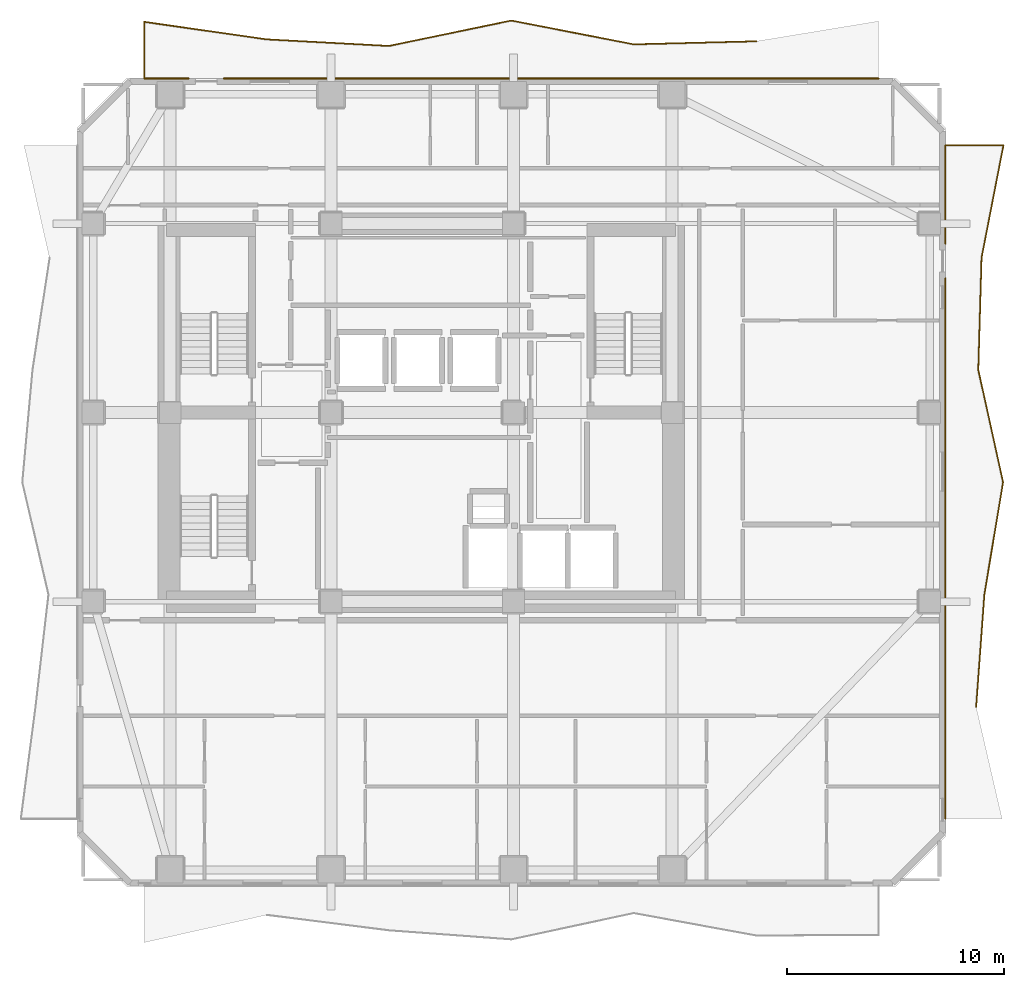
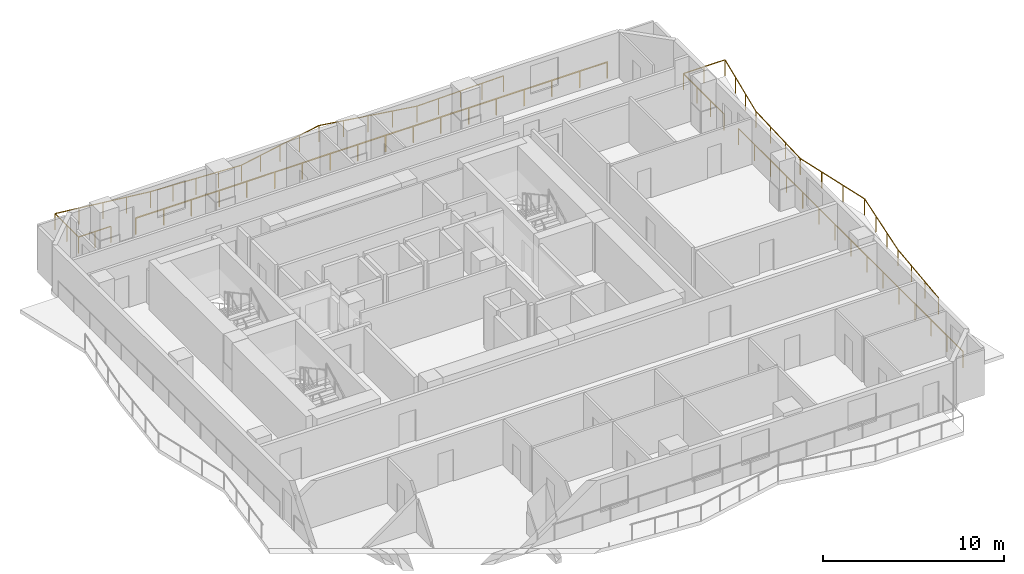
# One storey, part 9 of 9: 4 railings.
"""IFC4 building model written with IfcOpenShell, lengths in metres."""

from ifc_helpers import new_model, si_unit, direction, frame, origin, origin_2d, place, context, subcontext, project, spatial, rectangle, extrude, material, type_object, element, save


model = new_model("IFC4")

# Units and contexts
model_context = context("Model", 3, precision=1e-05, world=origin(), true_north=direction((0.0, 1.0)))
body_context = subcontext(model_context, "Body", "Model", "MODEL_VIEW")
ifc_project = project(units=[si_unit("LENGTHUNIT", "METRE"), si_unit("AREAUNIT", "SQUARE_METRE"), si_unit("VOLUMEUNIT", "CUBIC_METRE"), si_unit("PLANEANGLEUNIT", "RADIAN"), si_unit("MASSUNIT", "GRAM", prefix="KILO")], contexts=[model_context])

# Site, building, storey
site_placement = place(None, origin())
site = spatial("IfcSite", under=ifc_project, at=site_placement, CompositionType="ELEMENT")
building_placement = place(site_placement, origin())
building = spatial("IfcBuilding", under=site, at=building_placement, Name="Solanera Arch Residences", CompositionType="ELEMENT")
storey_placement = place(building_placement, frame((0.0, 0.0, 129.320068359375)))
storey = spatial("IfcBuildingStorey", under=building, at=storey_placement, Name="L37", CompositionType="ELEMENT", Elevation=129.320068359375)

# Railings
ifc_material = material(Name="Steel S355 (ASTM A992 / A572 Grade 50)", Category="steel")
railing_type = type_object("IfcRailingType", Name="Balustrade Railing BL-1100", PredefinedType="BALUSTRADE", material=ifc_material)
railing_1_placement = place(storey_placement, frame((40.366943359375, 47.7939453125, 0.0)))
element("IfcRailing", 1, at=railing_1_placement, inside=storey, type_object=railing_type, Name="L37 N Balcony Balustrade 1", PredefinedType="BALUSTRADE", context=body_context, shape_type="SweptSolid", body=[
    extrude(rectangle(XDim=0.048095703125, YDim=0.048095703125, at=origin_2d()), frame((0.0, 0.0, 1.09619140625), z_axis=(-0.999687565229, -0.024995438104, 0.0), x_axis=(0.024995438104, -0.999687565229, 0.0)), (0.0, 0.0, 1.0), 5.6357421875),
    extrude(rectangle(XDim=0.048095703125, YDim=0.048095703125, at=origin_2d()), frame((-5.634033203125, -0.140869140625, 1.09619140625), z_axis=(-0.981625131303, 0.19081955244, 0.0), x_axis=(-0.19081955244, -0.981625131303, 0.0)), (0.0, 0.0, 1.0), 5.73828125),
    extrude(rectangle(XDim=0.048095703125, YDim=0.048095703125, at=origin_2d()), frame((-11.266845703125, 0.9541015625, 1.09619140625), z_axis=(-0.979140050425, -0.20318651937, 0.0), x_axis=(0.20318651937, -0.979140050425, 0.0)), (0.0, 0.0, 1.0), 5.753173828125),
    extrude(rectangle(XDim=0.048095703125, YDim=0.048095703125, at=origin_2d()), frame((-16.89990234375, -0.21484375, 1.09619140625), z_axis=(-0.998547877576, 0.053871478424, 0.0), x_axis=(-0.053871478424, -0.998547877576, 0.0)), (0.0, 0.0, 1.0), 5.642333984375),
    extrude(rectangle(XDim=0.048095703125, YDim=0.048095703125, at=origin_2d()), frame((-22.533935546875, 0.089111328125, 1.09619140625), z_axis=(-0.989920297985, 0.141625575506, 0.0), x_axis=(-0.141625575506, -0.989920297985, 0.0)), (0.0, 0.0, 1.0), 5.6904296875),
    extrude(rectangle(XDim=0.048095703125, YDim=0.048095703125, at=origin_2d()), frame((-28.1669921875, 0.89501953125, 1.09619140625), z_axis=(0.0, -1.0, 0.0), x_axis=(1.0, 0.0, 0.0)), (0.0, 0.0, 1.0), 2.60888671875),
    extrude(rectangle(XDim=0.048095703125, YDim=0.048095703125, at=origin_2d()), frame((-28.1669921875, -1.7138671875, 1.09619140625), z_axis=(1.0, 0.0, 0.0), x_axis=(0.0, 1.0, 0.0)), (0.0, 0.0, 1.0), 2.06396484375),
    extrude(rectangle(XDim=0.0419921875, YDim=0.0419921875, at=origin_2d()), origin(), (0.0, 0.0, 1.0), 1.072021484375),
    extrude(rectangle(XDim=0.0419921875, YDim=0.0419921875, at=origin_2d()), frame((-1.408447265625, -0.03515625, 0.0)), (0.0, 0.0, 1.0), 1.072021484375),
    extrude(rectangle(XDim=0.0419921875, YDim=0.0419921875, at=origin_2d()), frame((-2.81689453125, -0.0703125, 0.0)), (0.0, 0.0, 1.0), 1.072021484375),
    extrude(rectangle(XDim=0.0419921875, YDim=0.0419921875, at=origin_2d()), frame((-4.2255859375, -0.105712890625, 0.0)), (0.0, 0.0, 1.0), 1.072021484375),
    extrude(rectangle(XDim=0.0419921875, YDim=0.0419921875, at=origin_2d()), frame((-5.634033203125, -0.140869140625, 0.0)), (0.0, 0.0, 1.0), 1.072021484375),
    extrude(rectangle(XDim=0.0419921875, YDim=0.0419921875, at=origin_2d()), frame((-7.042236328125, 0.1328125, 0.0)), (0.0, 0.0, 1.0), 1.072021484375),
    extrude(rectangle(XDim=0.0419921875, YDim=0.0419921875, at=origin_2d()), frame((-8.450439453125, 0.40673828125, 0.0)), (0.0, 0.0, 1.0), 1.072021484375),
    extrude(rectangle(XDim=0.0419921875, YDim=0.0419921875, at=origin_2d()), frame((-9.858642578125, 0.680419921875, 0.0)), (0.0, 0.0, 1.0), 1.072021484375),
    extrude(rectangle(XDim=0.0419921875, YDim=0.0419921875, at=origin_2d()), frame((-11.266845703125, 0.9541015625, 0.0)), (0.0, 0.0, 1.0), 1.072021484375),
    extrude(rectangle(XDim=0.0419921875, YDim=0.0419921875, at=origin_2d()), frame((-12.675048828125, 0.661865234375, 0.0)), (0.0, 0.0, 1.0), 1.072021484375),
    extrude(rectangle(XDim=0.0419921875, YDim=0.0419921875, at=origin_2d()), frame((-14.08349609375, 0.36962890625, 0.0)), (0.0, 0.0, 1.0), 1.072021484375),
    extrude(rectangle(XDim=0.0419921875, YDim=0.0419921875, at=origin_2d()), frame((-15.49169921875, 0.077392578125, 0.0)), (0.0, 0.0, 1.0), 1.072021484375),
    extrude(rectangle(XDim=0.0419921875, YDim=0.0419921875, at=origin_2d()), frame((-16.89990234375, -0.21484375, 0.0)), (0.0, 0.0, 1.0), 1.072021484375),
    extrude(rectangle(XDim=0.0419921875, YDim=0.0419921875, at=origin_2d()), frame((-18.308349609375, -0.138916015625, 0.0)), (0.0, 0.0, 1.0), 1.072021484375),
    extrude(rectangle(XDim=0.0419921875, YDim=0.0419921875, at=origin_2d()), frame((-19.716796875, -0.06298828125, 0.0)), (0.0, 0.0, 1.0), 1.072021484375),
    extrude(rectangle(XDim=0.0419921875, YDim=0.0419921875, at=origin_2d()), frame((-21.12548828125, 0.01318359375, 0.0)), (0.0, 0.0, 1.0), 1.072021484375),
    extrude(rectangle(XDim=0.0419921875, YDim=0.0419921875, at=origin_2d()), frame((-22.533935546875, 0.089111328125, 0.0)), (0.0, 0.0, 1.0), 1.072021484375),
    extrude(rectangle(XDim=0.0419921875, YDim=0.0419921875, at=origin_2d()), frame((-23.942138671875, 0.29052734375, 0.0)), (0.0, 0.0, 1.0), 1.072021484375),
    extrude(rectangle(XDim=0.0419921875, YDim=0.0419921875, at=origin_2d()), frame((-25.3505859375, 0.4921875, 0.0)), (0.0, 0.0, 1.0), 1.072021484375),
    extrude(rectangle(XDim=0.0419921875, YDim=0.0419921875, at=origin_2d()), frame((-26.7587890625, 0.693603515625, 0.0)), (0.0, 0.0, 1.0), 1.072021484375),
    extrude(rectangle(XDim=0.0419921875, YDim=0.0419921875, at=origin_2d()), frame((-28.1669921875, 0.89501953125, 0.0)), (0.0, 0.0, 1.0), 1.072021484375),
    extrude(rectangle(XDim=0.0419921875, YDim=0.0419921875, at=origin_2d()), frame((-28.1669921875, -0.409423828125, 0.0)), (0.0, 0.0, 1.0), 1.072021484375),
    extrude(rectangle(XDim=0.0419921875, YDim=0.0419921875, at=origin_2d()), frame((-28.1669921875, -1.7138671875, 0.0)), (0.0, 0.0, 1.0), 1.072021484375),
    extrude(rectangle(XDim=0.0419921875, YDim=0.0419921875, at=origin_2d()), frame((-27.135009765625, -1.7138671875, 0.0)), (0.0, 0.0, 1.0), 1.072021484375),
    extrude(rectangle(XDim=0.0419921875, YDim=0.0419921875, at=origin_2d()), frame((-26.10302734375, -1.7138671875, 0.0)), (0.0, 0.0, 1.0), 1.072021484375),
])
railing_2_placement = place(storey_placement, frame((15.864013671875, 46.080078125, 0.0)))
element("IfcRailing", 2, at=railing_2_placement, inside=storey, type_object=railing_type, Name="L37 N Balcony Balustrade 2", PredefinedType="BALUSTRADE", context=body_context, shape_type="SweptSolid", body=[
    extrude(rectangle(XDim=0.048095703125, YDim=0.048095703125, at=origin_2d()), frame((0.0, 0.0, 1.09619140625), z_axis=(1.0, 0.0, 0.0), x_axis=(0.0, 1.0, 0.0)), (0.0, 0.0, 1.0), 30.135986328125),
    extrude(rectangle(XDim=0.0419921875, YDim=0.0419921875, at=origin_2d()), origin(), (0.0, 0.0, 1.0), 1.072021484375),
    extrude(rectangle(XDim=0.0419921875, YDim=0.0419921875, at=origin_2d()), frame((1.772705078125, 0.0, 0.0)), (0.0, 0.0, 1.0), 1.072021484375),
    extrude(rectangle(XDim=0.0419921875, YDim=0.0419921875, at=origin_2d()), frame((3.54541015625, 0.0, 0.0)), (0.0, 0.0, 1.0), 1.072021484375),
    extrude(rectangle(XDim=0.0419921875, YDim=0.0419921875, at=origin_2d()), frame((5.318115234375, 0.0, 0.0)), (0.0, 0.0, 1.0), 1.072021484375),
    extrude(rectangle(XDim=0.0419921875, YDim=0.0419921875, at=origin_2d()), frame((7.0908203125, 0.0, 0.0)), (0.0, 0.0, 1.0), 1.072021484375),
    extrude(rectangle(XDim=0.0419921875, YDim=0.0419921875, at=origin_2d()), frame((8.863525390625, 0.0, 0.0)), (0.0, 0.0, 1.0), 1.072021484375),
    extrude(rectangle(XDim=0.0419921875, YDim=0.0419921875, at=origin_2d()), frame((10.63623046875, 0.0, 0.0)), (0.0, 0.0, 1.0), 1.072021484375),
    extrude(rectangle(XDim=0.0419921875, YDim=0.0419921875, at=origin_2d()), frame((12.408935546875, 0.0, 0.0)), (0.0, 0.0, 1.0), 1.072021484375),
    extrude(rectangle(XDim=0.0419921875, YDim=0.0419921875, at=origin_2d()), frame((14.181640625, 0.0, 0.0)), (0.0, 0.0, 1.0), 1.072021484375),
    extrude(rectangle(XDim=0.0419921875, YDim=0.0419921875, at=origin_2d()), frame((15.954345703125, 0.0, 0.0)), (0.0, 0.0, 1.0), 1.072021484375),
    extrude(rectangle(XDim=0.0419921875, YDim=0.0419921875, at=origin_2d()), frame((17.72705078125, 0.0, 0.0)), (0.0, 0.0, 1.0), 1.072021484375),
    extrude(rectangle(XDim=0.0419921875, YDim=0.0419921875, at=origin_2d()), frame((19.499755859375, 0.0, 0.0)), (0.0, 0.0, 1.0), 1.072021484375),
    extrude(rectangle(XDim=0.0419921875, YDim=0.0419921875, at=origin_2d()), frame((21.2724609375, 0.0, 0.0)), (0.0, 0.0, 1.0), 1.072021484375),
    extrude(rectangle(XDim=0.0419921875, YDim=0.0419921875, at=origin_2d()), frame((23.045166015625, 0.0, 0.0)), (0.0, 0.0, 1.0), 1.072021484375),
    extrude(rectangle(XDim=0.0419921875, YDim=0.0419921875, at=origin_2d()), frame((24.81787109375, 0.0, 0.0)), (0.0, 0.0, 1.0), 1.072021484375),
    extrude(rectangle(XDim=0.0419921875, YDim=0.0419921875, at=origin_2d()), frame((26.590576171875, 0.0, 0.0)), (0.0, 0.0, 1.0), 1.072021484375),
    extrude(rectangle(XDim=0.0419921875, YDim=0.0419921875, at=origin_2d()), frame((28.36328125, 0.0, 0.0)), (0.0, 0.0, 1.0), 1.072021484375),
    extrude(rectangle(XDim=0.0419921875, YDim=0.0419921875, at=origin_2d()), frame((30.135986328125, 0.0, 0.0)), (0.0, 0.0, 1.0), 1.072021484375),
])
railing_3_placement = place(storey_placement, frame((50.493896484375, 17.1669921875, 0.0)))
element("IfcRailing", 3, at=railing_3_placement, inside=storey, type_object=railing_type, Name="L37 E Balcony Balustrade 1", PredefinedType="BALUSTRADE", context=body_context, shape_type="SweptSolid", body=[
    extrude(rectangle(XDim=0.048095703125, YDim=0.048095703125, at=origin_2d()), frame((0.0, 0.0, 1.09619140625), z_axis=(0.073383836115, 0.997303771474, 0.0), x_axis=(-0.997303771474, 0.073383836115, 0.0)), (0.0, 0.0, 1.0), 5.179931640625),
    extrude(rectangle(XDim=0.048095703125, YDim=0.048095703125, at=origin_2d()), frame((0.380126953125, 5.166015625, 1.09619140625), z_axis=(0.16379426133, 0.986494520996, 0.0), x_axis=(-0.986494520996, 0.16379426133, 0.0)), (0.0, 0.0, 1.0), 5.23779296875),
    extrude(rectangle(XDim=0.048095703125, YDim=0.048095703125, at=origin_2d()), frame((1.238037109375, 10.3330078125, 1.09619140625), z_axis=(-0.215254354327, 0.976558018217, 0.0), x_axis=(-0.976558018217, -0.215254354327, 0.0)), (0.0, 0.0, 1.0), 5.291015625),
    extrude(rectangle(XDim=0.048095703125, YDim=0.048095703125, at=origin_2d()), frame((0.09912109375, 15.5, 1.09619140625), z_axis=(0.029004804967, 0.999579272138, 0.0), x_axis=(-0.999579272138, 0.029004804967, 0.0)), (0.0, 0.0, 1.0), 5.168212890625),
    extrude(rectangle(XDim=0.048095703125, YDim=0.048095703125, at=origin_2d()), frame((0.2490234375, 20.666015625, 1.09619140625), z_axis=(0.191306587283, 0.981530330485, 0.0), x_axis=(-0.981530330485, 0.191306587283, 0.0)), (0.0, 0.0, 1.0), 5.26416015625),
    extrude(rectangle(XDim=0.048095703125, YDim=0.048095703125, at=origin_2d()), frame((1.256103515625, 25.8330078125, 1.09619140625), z_axis=(-1.0, 0.0, 0.0), x_axis=(0.0, -1.0, 0.0)), (0.0, 0.0, 1.0), 2.669921875),
    extrude(rectangle(XDim=0.048095703125, YDim=0.048095703125, at=origin_2d()), frame((-1.413818359375, 25.8330078125, 1.09619140625), z_axis=(0.0, -1.0, 0.0), x_axis=(1.0, 0.0, 0.0)), (0.0, 0.0, 1.0), 4.52197265625),
    extrude(rectangle(XDim=0.0419921875, YDim=0.0419921875, at=origin_2d()), origin(), (0.0, 0.0, 1.0), 1.072021484375),
    extrude(rectangle(XDim=0.0419921875, YDim=0.0419921875, at=origin_2d()), frame((0.126708984375, 1.721923828125, 0.0)), (0.0, 0.0, 1.0), 1.072021484375),
    extrude(rectangle(XDim=0.0419921875, YDim=0.0419921875, at=origin_2d()), frame((0.25341796875, 3.444091796875, 0.0)), (0.0, 0.0, 1.0), 1.072021484375),
    extrude(rectangle(XDim=0.0419921875, YDim=0.0419921875, at=origin_2d()), frame((0.380126953125, 5.166015625, 0.0)), (0.0, 0.0, 1.0), 1.072021484375),
    extrude(rectangle(XDim=0.0419921875, YDim=0.0419921875, at=origin_2d()), frame((0.666015625, 6.888427734375, 0.0)), (0.0, 0.0, 1.0), 1.072021484375),
    extrude(rectangle(XDim=0.0419921875, YDim=0.0419921875, at=origin_2d()), frame((0.9521484375, 8.610595703125, 0.0)), (0.0, 0.0, 1.0), 1.072021484375),
    extrude(rectangle(XDim=0.0419921875, YDim=0.0419921875, at=origin_2d()), frame((1.238037109375, 10.3330078125, 0.0)), (0.0, 0.0, 1.0), 1.072021484375),
    extrude(rectangle(XDim=0.0419921875, YDim=0.0419921875, at=origin_2d()), frame((0.8583984375, 12.055419921875, 0.0)), (0.0, 0.0, 1.0), 1.072021484375),
    extrude(rectangle(XDim=0.0419921875, YDim=0.0419921875, at=origin_2d()), frame((0.478759765625, 13.777587890625, 0.0)), (0.0, 0.0, 1.0), 1.072021484375),
    extrude(rectangle(XDim=0.0419921875, YDim=0.0419921875, at=origin_2d()), frame((0.09912109375, 15.5, 0.0)), (0.0, 0.0, 1.0), 1.072021484375),
    extrude(rectangle(XDim=0.0419921875, YDim=0.0419921875, at=origin_2d()), frame((0.149169921875, 17.221923828125, 0.0)), (0.0, 0.0, 1.0), 1.072021484375),
    extrude(rectangle(XDim=0.0419921875, YDim=0.0419921875, at=origin_2d()), frame((0.198974609375, 18.944091796875, 0.0)), (0.0, 0.0, 1.0), 1.072021484375),
    extrude(rectangle(XDim=0.0419921875, YDim=0.0419921875, at=origin_2d()), frame((0.2490234375, 20.666015625, 0.0)), (0.0, 0.0, 1.0), 1.072021484375),
    extrude(rectangle(XDim=0.0419921875, YDim=0.0419921875, at=origin_2d()), frame((0.584716796875, 22.388427734375, 0.0)), (0.0, 0.0, 1.0), 1.072021484375),
    extrude(rectangle(XDim=0.0419921875, YDim=0.0419921875, at=origin_2d()), frame((0.92041015625, 24.110595703125, 0.0)), (0.0, 0.0, 1.0), 1.072021484375),
    extrude(rectangle(XDim=0.0419921875, YDim=0.0419921875, at=origin_2d()), frame((1.256103515625, 25.8330078125, 0.0)), (0.0, 0.0, 1.0), 1.072021484375),
    extrude(rectangle(XDim=0.0419921875, YDim=0.0419921875, at=origin_2d()), frame((-0.078857421875, 25.8330078125, 0.0)), (0.0, 0.0, 1.0), 1.072021484375),
    extrude(rectangle(XDim=0.0419921875, YDim=0.0419921875, at=origin_2d()), frame((-1.413818359375, 25.8330078125, 0.0)), (0.0, 0.0, 1.0), 1.072021484375),
    extrude(rectangle(XDim=0.0419921875, YDim=0.0419921875, at=origin_2d()), frame((-1.413818359375, 24.32568359375, 0.0)), (0.0, 0.0, 1.0), 1.072021484375),
    extrude(rectangle(XDim=0.0419921875, YDim=0.0419921875, at=origin_2d()), frame((-1.413818359375, 22.818359375, 0.0)), (0.0, 0.0, 1.0), 1.072021484375),
    extrude(rectangle(XDim=0.0419921875, YDim=0.0419921875, at=origin_2d()), frame((-1.413818359375, 21.31103515625, 0.0)), (0.0, 0.0, 1.0), 1.072021484375),
])
railing_4_placement = place(storey_placement, frame((49.080078125, 36.8779296875, 0.0)))
element("IfcRailing", 4, at=railing_4_placement, inside=storey, type_object=railing_type, Name="L37 E Balcony Balustrade 2", PredefinedType="BALUSTRADE", context=body_context, shape_type="SweptSolid", body=[
    extrude(rectangle(XDim=0.048095703125, YDim=0.048095703125, at=origin_2d()), frame((0.0, 0.0, 1.09619140625), z_axis=(0.0, -1.0, 0.0), x_axis=(1.0, 0.0, 0.0)), (0.0, 0.0, 1.0), 24.8779296875),
    extrude(rectangle(XDim=0.0419921875, YDim=0.0419921875, at=origin_2d()), origin(), (0.0, 0.0, 1.0), 1.072021484375),
    extrude(rectangle(XDim=0.0419921875, YDim=0.0419921875, at=origin_2d()), frame((0.0, -1.777099609375, 0.0)), (0.0, 0.0, 1.0), 1.072021484375),
    extrude(rectangle(XDim=0.0419921875, YDim=0.0419921875, at=origin_2d()), frame((0.0, -3.553955078125, 0.0)), (0.0, 0.0, 1.0), 1.072021484375),
    extrude(rectangle(XDim=0.0419921875, YDim=0.0419921875, at=origin_2d()), frame((0.0, -5.3310546875, 0.0)), (0.0, 0.0, 1.0), 1.072021484375),
    extrude(rectangle(XDim=0.0419921875, YDim=0.0419921875, at=origin_2d()), frame((0.0, -7.10791015625, 0.0)), (0.0, 0.0, 1.0), 1.072021484375),
    extrude(rectangle(XDim=0.0419921875, YDim=0.0419921875, at=origin_2d()), frame((0.0, -8.885009765625, 0.0)), (0.0, 0.0, 1.0), 1.072021484375),
    extrude(rectangle(XDim=0.0419921875, YDim=0.0419921875, at=origin_2d()), frame((0.0, -10.661865234375, 0.0)), (0.0, 0.0, 1.0), 1.072021484375),
    extrude(rectangle(XDim=0.0419921875, YDim=0.0419921875, at=origin_2d()), frame((0.0, -12.43896484375, 0.0)), (0.0, 0.0, 1.0), 1.072021484375),
    extrude(rectangle(XDim=0.0419921875, YDim=0.0419921875, at=origin_2d()), frame((0.0, -14.216064453125, 0.0)), (0.0, 0.0, 1.0), 1.072021484375),
    extrude(rectangle(XDim=0.0419921875, YDim=0.0419921875, at=origin_2d()), frame((0.0, -15.992919921875, 0.0)), (0.0, 0.0, 1.0), 1.072021484375),
    extrude(rectangle(XDim=0.0419921875, YDim=0.0419921875, at=origin_2d()), frame((0.0, -17.77001953125, 0.0)), (0.0, 0.0, 1.0), 1.072021484375),
    extrude(rectangle(XDim=0.0419921875, YDim=0.0419921875, at=origin_2d()), frame((0.0, -19.546875, 0.0)), (0.0, 0.0, 1.0), 1.072021484375),
    extrude(rectangle(XDim=0.0419921875, YDim=0.0419921875, at=origin_2d()), frame((0.0, -21.323974609375, 0.0)), (0.0, 0.0, 1.0), 1.072021484375),
    extrude(rectangle(XDim=0.0419921875, YDim=0.0419921875, at=origin_2d()), frame((0.0, -23.100830078125, 0.0)), (0.0, 0.0, 1.0), 1.072021484375),
    extrude(rectangle(XDim=0.0419921875, YDim=0.0419921875, at=origin_2d()), frame((0.0, -24.8779296875, 0.0)), (0.0, 0.0, 1.0), 1.072021484375),
])

save(model, "model.ifc")
